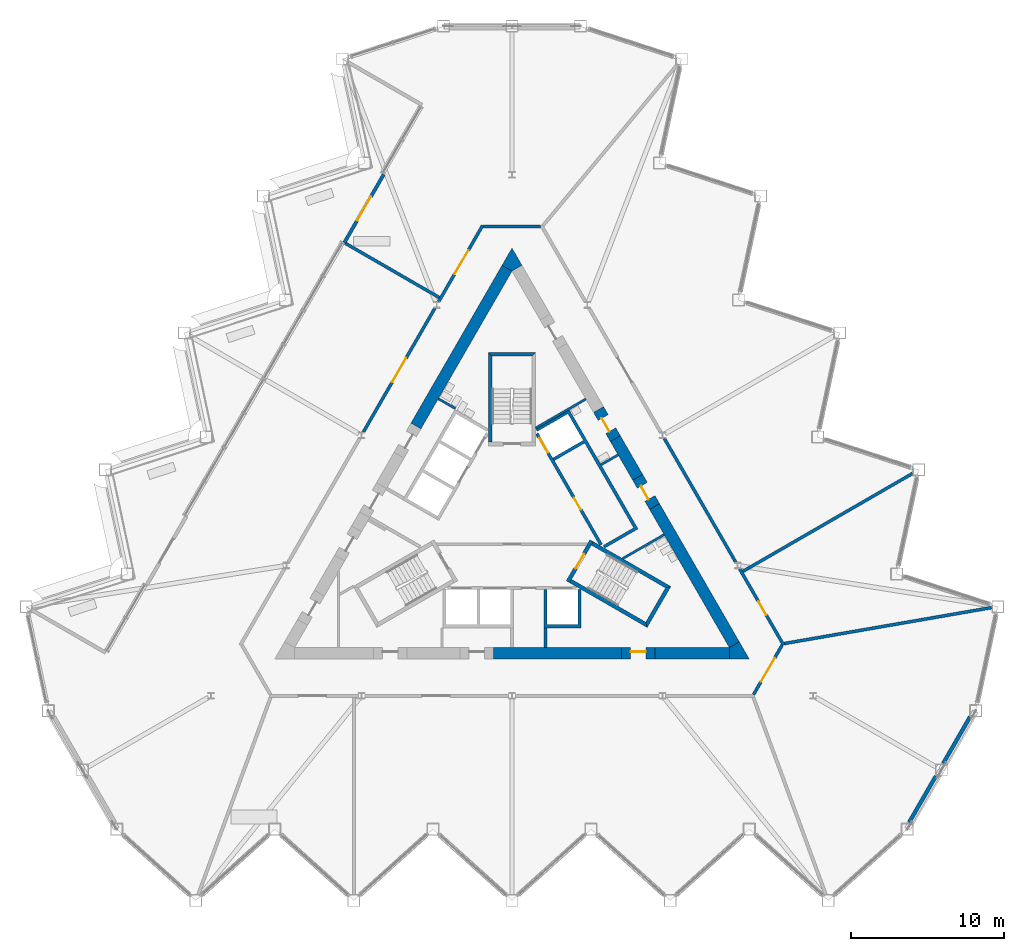
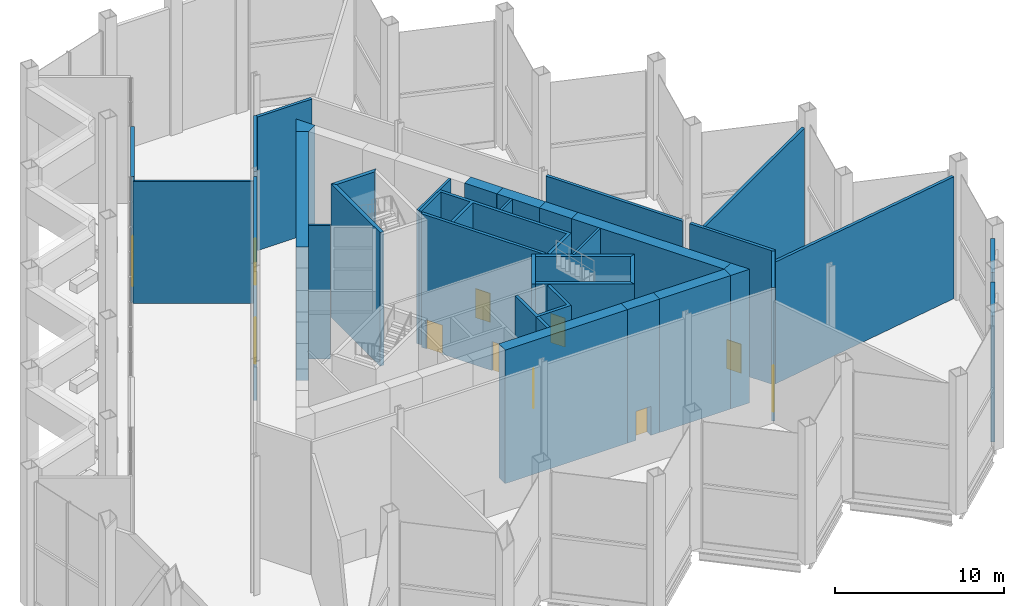
# One storey, part 10 of 18: 36 walls, 11 doors, 11 openings.
"""IFC4 building model written with IfcOpenShell, lengths in metres."""

from ifc_helpers import new_model, si_unit, direction, frame, frame_2d, origin, place, context, subcontext, project, spatial, polyline, rectangle, outline, extrude, material, layer, layer_set, type_object, element, fill, save


model = new_model("IFC4")

# Units and contexts
model_context = context("Model", 3, precision=1e-05, world=origin(), true_north=direction((0.0, 1.0)))
body_context = subcontext(model_context, "Body", "Model", "MODEL_VIEW")
ifc_project = project(units=[si_unit("LENGTHUNIT", "METRE"), si_unit("AREAUNIT", "SQUARE_METRE"), si_unit("VOLUMEUNIT", "CUBIC_METRE"), si_unit("PLANEANGLEUNIT", "RADIAN"), si_unit("MASSUNIT", "GRAM", prefix="KILO")], contexts=[model_context])

# Site, building, storey
site_placement = place(None, origin())
site = spatial("IfcSite", under=ifc_project, at=site_placement, CompositionType="ELEMENT")
building_placement = place(site_placement, origin())
building = spatial("IfcBuilding", under=site, at=building_placement, Name="Cormorant Prow Tower", CompositionType="ELEMENT")
storey_placement = place(building_placement, frame((0.0, 0.0, 216.0)))
storey = spatial("IfcBuildingStorey", under=building, at=storey_placement, Name="L48", CompositionType="ELEMENT", Elevation=216.0)

# Walls
ifc_material_1 = material(Name="Gypsum board partition")
ifc_layer_1 = layer(ifc_material_1, 0.14990234375)
ifc_layer_set_1 = layer_set([ifc_layer_1], Name="Gypsum board partition")
wall_type_1 = type_object("IfcWallType", Name="Core partition 150", PredefinedType="PARTITIONING", material=ifc_layer_set_1)
wall_1_placement = place(storey_placement, frame((-3.693359375, 7.4150390625, 0.0), z_axis=(0.0, 0.0, 1.0), x_axis=(-0.866003189247, 0.500038474733, 0.0)))
element("IfcWall", 1, at=wall_1_placement, inside=storey, type_object=wall_type_1, Name="Service room partition", PredefinedType="PARTITIONING", context=body_context, shape_type="SweptSolid", body=[
    extrude(rectangle(XDim=1.29296875, YDim=0.14990234375, at=frame_2d((0.646484375, 0.0))), origin(), (0.0, 0.0, 1.0), 9.64990234375),
])
wall_2_placement = place(storey_placement, frame((9.940673828125, -0.81982421875, 0.0), z_axis=(0.0, 0.0, 1.0), x_axis=(-0.866018897435, -0.500011269158, 0.0)))
element("IfcWall", 2, at=wall_2_placement, inside=storey, type_object=wall_type_1, Name="Service room partition", PredefinedType="PARTITIONING", context=body_context, shape_type="SweptSolid", body=[
    extrude(rectangle(XDim=3.146484375, YDim=0.14990234375, at=frame_2d((1.5732421875, 0.0))), origin(), (0.0, 0.0, 1.0), 9.64990234375),
])
wall_3_placement = place(storey_placement, frame((6.93212890625, 4.390869140625, 0.0), z_axis=(0.0, 0.0, 1.0), x_axis=(-0.866003189247, -0.500038474733, 0.0)))
element("IfcWall", 3, at=wall_3_placement, inside=storey, type_object=wall_type_1, Name="Service room partition", PredefinedType="PARTITIONING", context=body_context, shape_type="SweptSolid", body=[
    extrude(rectangle(XDim=1.29296875, YDim=0.14990234375, at=frame_2d((0.646484375, 0.0))), origin(), (0.0, 0.0, 1.0), 9.64990234375),
])
wall_4_placement = place(storey_placement, frame((4.826416015625, 8.03857421875, 0.0), z_axis=(0.0, 0.0, 1.0), x_axis=(-0.86601654697, -0.500015340139, 0.0)))
element("IfcWall", 4, at=wall_4_placement, inside=storey, type_object=wall_type_1, Name="Service room partition", PredefinedType="PARTITIONING", context=body_context, shape_type="SweptSolid", body=[
    extrude(rectangle(XDim=3.80029296875, YDim=0.14990234375, at=frame_2d((1.900146484375, 0.0))), origin(), (0.0, 0.0, 1.0), 9.64990234375),
])
ifc_material_2 = material(Name="Concrete 8000 psi", Category="concrete")
ifc_layer_2 = layer(ifc_material_2, 0.75)
ifc_layer_set_2 = layer_set([ifc_layer_2], Name="Concrete 8000 psi")
wall_type_2 = type_object("IfcWallType", Name="Core shear wall 750", PredefinedType="SHEAR", material=ifc_layer_set_2)
wall_5_placement = place(storey_placement, frame((-1.199951171875, -8.573974609375, 0.0), z_axis=(0.0, 0.0, 1.0), x_axis=(1.0, 0.0, 0.0)))
element("IfcWall", 5, at=wall_5_placement, inside=storey, type_object=wall_type_2, Name="Core wall", PredefinedType="SHEAR", context=body_context, shape_type="SweptSolid", body=[
    extrude(rectangle(XDim=8.350341796875, YDim=0.75, at=frame_2d((4.17529296875, 0.0))), origin(), (0.0, 0.0, 1.0), 9.64990234375),
])
wall_6_placement = place(storey_placement, frame((9.3505859375, -8.573974609375, 0.0), z_axis=(0.0, 0.0, 1.0), x_axis=(1.0, 0.0, 0.0)))
element("IfcWall", 6, at=wall_6_placement, inside=storey, type_object=wall_type_2, Name="Core wall", PredefinedType="SHEAR", context=body_context, shape_type="SweptSolid", body=[
    extrude(rectangle(XDim=4.850341796875, YDim=0.75, at=frame_2d((2.42529296875, 0.0))), origin(), (0.0, 0.0, 1.0), 9.64990234375),
])
wall_7_placement = place(storey_placement, frame((14.525634765625, -8.011474609375, 0.0), z_axis=(0.0, 0.0, 1.0), x_axis=(-0.499981157383, 0.866036282301, 0.0)))
element("IfcWall", 7, at=wall_7_placement, inside=storey, type_object=wall_type_2, Name="Core wall", PredefinedType="SHEAR", context=body_context, shape_type="SweptSolid", body=[
    extrude(rectangle(XDim=10.42919921875, YDim=0.75, at=frame_2d((5.214599609375, 0.0))), origin(), (0.0, 0.0, 1.0), 9.64990234375),
])
wall_8_placement = place(storey_placement, frame((8.211181640625, 2.92578125, 0.0), z_axis=(0.0, 0.0, 1.0), x_axis=(-0.500022172694, 0.866012601995, 0.0)))
element("IfcWall", 8, at=wall_8_placement, inside=storey, type_object=wall_type_2, Name="Core wall", PredefinedType="SHEAR", context=body_context, shape_type="SweptSolid", body=[
    extrude(rectangle(XDim=2.914306640625, YDim=0.75, at=frame_2d((1.45703125, 0.0))), origin(), (0.0, 0.0, 1.0), 9.64990234375),
])
wall_9_placement = place(storey_placement, frame((-0.32470703125, 16.58544921875, 0.0), z_axis=(0.0, 0.0, 1.0), x_axis=(-0.500008939514, -0.866020242492, 0.0)))
element("IfcWall", 9, at=wall_9_placement, inside=storey, type_object=wall_type_2, Name="Core wall", PredefinedType="SHEAR", context=body_context, shape_type="SweptSolid", body=[
    extrude(rectangle(XDim=11.901123046875, YDim=0.75, at=frame_2d((5.95068359375, 0.0))), origin(), (0.0, 0.0, 1.0), 9.64990234375),
])
wall_10_placement = place(storey_placement, origin())
element("IfcWall", 10, at=wall_10_placement, inside=storey, type_object=wall_type_2, Name="Core wall corner", PredefinedType="SHEAR", context=body_context, shape_type="SweptSolid", body=[
    extrude(outline(polyline([(-0.6494140625, 16.77294921875), (0.0, 17.89794921875), (0.6494140625, 16.77294921875), (0.0, 16.39794921875), (-0.6494140625, 16.77294921875)])), origin(), (0.0, 0.0, 1.0), 9.64990234375),
])
wall_11_placement = place(storey_placement, origin())
element("IfcWall", 11, at=wall_11_placement, inside=storey, type_object=wall_type_2, Name="Core wall corner", PredefinedType="SHEAR", context=body_context, shape_type="SweptSolid", body=[
    extrude(outline(polyline([(14.200927734375, -8.948974609375), (14.200927734375, -8.198974609375), (14.8505859375, -7.823974609375), (15.5, -8.948974609375), (14.200927734375, -8.948974609375)])), origin(), (0.0, 0.0, 1.0), 9.64990234375),
])

# Wall, opening, door
wall_12_placement = place(storey_placement, frame((7.150390625, -8.573974609375, 0.0), z_axis=(0.0, 0.0, 1.0), x_axis=(1.0, 0.0, 0.0)))
wall_12 = element("IfcWall", 12, at=wall_12_placement, inside=storey, type_object=wall_type_2, Name="Core wall door panel", PredefinedType="SHEAR", context=body_context, shape_type="SweptSolid", body=[
    extrude(rectangle(XDim=2.2001953125, YDim=0.75, at=frame_2d((1.10009765625, 0.0))), origin(), (0.0, 0.0, 1.0), 9.64990234375),
])
opening_1_placement = place(wall_12_placement, frame((0.60009765625, 0.0, 0.0)))
opening_1 = element("IfcOpeningElement", 13, at=opening_1_placement, cuts=wall_12, Name="Opening L48-C15", PredefinedType="OPENING", context=body_context, shape_type="SweptSolid", body=[
    extrude(rectangle(XDim=1.0, YDim=2.10009765625, at=frame_2d((0.5, 1.050048828125))), frame((0.0, 0.385009765625, 0.0), z_axis=(0.0, -1.0, 0.0), x_axis=(1.0, 0.0, 0.0)), (0.0, 0.0, 1.0), 0.77001953125),
])
ifc_material_3 = material(Name="Painted steel", Category="steel")
door_type_1 = type_object("IfcDoorType", Name="Service door 1000x2100", OperationType="NOTDEFINED", PredefinedType="DOOR", material=ifc_material_3)
door_1_placement = place(opening_1_placement, origin())
door_1 = element("IfcDoor", 14, at=door_1_placement, inside=storey, type_object=door_type_1, Name="Core door, Toilets (men) L48", OperationType="SINGLE_SWING_LEFT", OverallHeight=2.10009765625, OverallWidth=1.0, PredefinedType="DOOR", context=body_context, shape_type="SweptSolid", body=[
    extrude(rectangle(XDim=1.0, YDim=2.10009765625, at=frame_2d((0.5, 1.050048828125))), frame((0.0, 0.1298828125, 0.0), z_axis=(0.0, -1.0, 0.0), x_axis=(1.0, 0.0, 0.0)), (0.0, 0.0, 1.0), 0.050048828125),
])
fill(opening_1, door_1)

wall_13_placement = place(storey_placement, frame((9.311279296875, 1.0205078125, 0.0), z_axis=(0.0, 0.0, 1.0), x_axis=(-0.50002983664, 0.866008176907, 0.0)))
wall_13 = element("IfcWall", 15, at=wall_13_placement, inside=storey, type_object=wall_type_2, Name="Core wall door panel", PredefinedType="SHEAR", context=body_context, shape_type="SweptSolid", body=[
    extrude(rectangle(XDim=2.199951171875, YDim=0.75, at=frame_2d((1.10009765625, 0.0))), origin(), (0.0, 0.0, 1.0), 9.64990234375),
])
opening_2_placement = place(wall_13_placement, frame((0.60009765625, 0.0, 0.0)))
opening_2 = element("IfcOpeningElement", 16, at=opening_2_placement, cuts=wall_13, Name="Opening L48-C17", PredefinedType="OPENING", context=body_context, shape_type="SweptSolid", body=[
    extrude(rectangle(XDim=1.0, YDim=2.10009765625, at=frame_2d((0.5, 1.050048828125))), frame((0.0, 0.385009765625, 0.0), z_axis=(0.0, -1.0, 0.0), x_axis=(1.0, 0.0, 0.0)), (0.0, 0.0, 1.0), 0.77001953125),
])
door_2_placement = place(opening_2_placement, origin())
door_2 = element("IfcDoor", 17, at=door_2_placement, inside=storey, type_object=door_type_1, Name="Core door, Telecom room", OperationType="SINGLE_SWING_LEFT", OverallHeight=2.10009765625, OverallWidth=1.0, PredefinedType="DOOR", context=body_context, shape_type="SweptSolid", body=[
    extrude(rectangle(XDim=1.0, YDim=2.10009765625, at=frame_2d((0.5, 1.050048828125))), frame((0.0, 0.1298828125, 0.0), z_axis=(0.0, -1.0, 0.0), x_axis=(1.0, 0.0, 0.0)), (0.0, 0.0, 1.0), 0.050048828125),
])
fill(opening_2, door_2)

wall_14_placement = place(storey_placement, frame((6.75390625, 5.44970703125, 0.0), z_axis=(0.0, 0.0, 1.0), x_axis=(-0.499994660107, 0.866028486751, 0.0)))
wall_14 = element("IfcWall", 18, at=wall_14_placement, inside=storey, type_object=wall_type_2, Name="Core wall door panel", PredefinedType="SHEAR", context=body_context, shape_type="SweptSolid", body=[
    extrude(rectangle(XDim=2.19970703125, YDim=0.75, at=frame_2d((1.099853515625, 0.0))), origin(), (0.0, 0.0, 1.0), 9.64990234375),
])
opening_3_placement = place(wall_14_placement, frame((0.60009765625, 0.0, 0.0)))
opening_3 = element("IfcOpeningElement", 19, at=opening_3_placement, cuts=wall_14, Name="Opening L48-C19", PredefinedType="OPENING", context=body_context, shape_type="SweptSolid", body=[
    extrude(rectangle(XDim=1.0, YDim=2.10009765625, at=frame_2d((0.5, 1.050048828125))), frame((0.0, 0.385009765625, 0.0), z_axis=(0.0, -1.0, 0.0), x_axis=(1.0, 0.0, 0.0)), (0.0, 0.0, 1.0), 0.77001953125),
])
door_3_placement = place(opening_3_placement, origin())
door_3 = element("IfcDoor", 20, at=door_3_placement, inside=storey, type_object=door_type_1, Name="Core door, Accessible WC L48", OperationType="SINGLE_SWING_RIGHT", OverallHeight=2.10009765625, OverallWidth=1.0, PredefinedType="DOOR", context=body_context, shape_type="SweptSolid", body=[
    extrude(rectangle(XDim=1.0, YDim=2.10009765625, at=frame_2d((0.5, 1.050048828125))), frame((0.0, 0.1298828125, 0.0), z_axis=(0.0, -1.0, 0.0), x_axis=(1.0, 0.0, 0.0)), (0.0, 0.0, 1.0), 0.050048828125),
])
fill(opening_3, door_3)

ifc_material_4 = material(Name="Gypsum board corridor wall")
ifc_layer_3 = layer(ifc_material_4, 0.199951171875)
ifc_layer_set_3 = layer_set([ifc_layer_3], Name="Gypsum board corridor wall")
wall_type_3 = type_object("IfcWallType", Name="Corridor wall 200", PredefinedType="PARTITIONING", material=ifc_layer_set_3)
wall_15_placement = place(storey_placement, frame((-9.705078125, 5.88818359375, 0.0), z_axis=(0.0, 0.0, 1.0), x_axis=(0.50000393355, 0.866023132736, 0.0)))
wall_15 = element("IfcWall", 21, at=wall_15_placement, inside=storey, type_object=wall_type_3, Name="Corridor wall", PredefinedType="PARTITIONING", context=body_context, shape_type="SweptSolid", body=[
    extrude(rectangle(XDim=9.3349609375, YDim=0.199951171875, at=frame_2d((4.66748046875, 0.0))), origin(), (0.0, 0.0, 1.0), 9.64990234375),
])
opening_4_placement = place(wall_15_placement, frame((3.767578125, 0.0, 0.0)))
opening_4 = element("IfcOpeningElement", 22, at=opening_4_placement, cuts=wall_15, Name="Opening L48-F07", PredefinedType="OPENING", context=body_context, shape_type="SweptSolid", body=[
    extrude(rectangle(XDim=1.800048828125, YDim=2.10009765625, at=frame_2d((0.89990234375, 1.050048828125))), frame((0.0, 0.10986328125, 0.0), z_axis=(0.0, -1.0, 0.0), x_axis=(1.0, 0.0, 0.0)), (0.0, 0.0, 1.0), 0.219970703125),
])
ifc_material_5 = material(Name="Timber door leaf", Category="wood")
door_type_2 = type_object("IfcDoorType", Name="Double door 1800x2100", OperationType="DOUBLE_DOOR_SINGLE_SWING", PredefinedType="DOOR", material=ifc_material_5)
door_4_placement = place(opening_4_placement, origin())
door_4 = element("IfcDoor", 23, at=door_4_placement, inside=storey, type_object=door_type_2, Name="Business services centre door", OperationType="DOUBLE_DOOR_SINGLE_SWING", OverallHeight=2.10009765625, OverallWidth=1.800048828125, PredefinedType="DOOR", context=body_context, shape_type="SweptSolid", body=[
    extrude(rectangle(XDim=1.800048828125, YDim=2.10009765625, at=frame_2d((0.89990234375, 1.050048828125))), frame((0.0, 0.02490234375, 0.0), z_axis=(0.0, -1.0, 0.0), x_axis=(1.0, 0.0, 0.0)), (0.0, 0.0, 1.0), 0.050048828125),
])
fill(opening_4, door_4)

# Wall
wall_16_placement = place(storey_placement, frame((9.951904296875, 5.460693359375, 0.0), z_axis=(0.0, 0.0, 1.0), x_axis=(0.50000393355, -0.866023132736, 0.0)))
element("IfcWall", 24, at=wall_16_placement, inside=storey, type_object=wall_type_3, Name="Corridor wall", PredefinedType="PARTITIONING", context=body_context, shape_type="SweptSolid", body=[
    extrude(rectangle(XDim=9.3349609375, YDim=0.199951171875, at=frame_2d((4.66748046875, 0.0))), origin(), (0.0, 0.0, 1.0), 9.64990234375),
])

# Wall, opening, door
wall_17_placement = place(storey_placement, frame((14.8662109375, -3.05078125, 0.0), z_axis=(0.0, 0.0, 1.0), x_axis=(0.499975807604, -0.86603937082, 0.0)))
wall_17 = element("IfcWall", 25, at=wall_17_placement, inside=storey, type_object=wall_type_3, Name="Corridor wall", PredefinedType="PARTITIONING", context=body_context, shape_type="SweptSolid", body=[
    extrude(rectangle(XDim=5.755615234375, YDim=0.199951171875, at=frame_2d((2.8779296875, 0.0))), origin(), (0.0, 0.0, 1.0), 9.64990234375),
])
opening_5_placement = place(wall_17_placement, frame((2.479248046875, 0.0, 0.0)))
opening_5 = element("IfcOpeningElement", 26, at=opening_5_placement, cuts=wall_17, Name="Opening L48-F04", PredefinedType="OPENING", context=body_context, shape_type="SweptSolid", body=[
    extrude(rectangle(XDim=1.0, YDim=2.10009765625, at=frame_2d((0.5, 1.050048828125))), frame((0.0, 0.10986328125, 0.0), z_axis=(0.0, -1.0, 0.0), x_axis=(1.0, 0.0, 0.0)), (0.0, 0.0, 1.0), 0.219970703125),
])
ifc_material_6 = material(Name="Timber door leaf", Category="wood")
door_type_3 = type_object("IfcDoorType", Name="Flat or room entrance door 1000x2100", OperationType="NOTDEFINED", PredefinedType="DOOR", material=ifc_material_6)
door_5_placement = place(opening_5_placement, origin())
door_5 = element("IfcDoor", 27, at=door_5_placement, inside=storey, type_object=door_type_3, Name="Refuge area door", OperationType="SINGLE_SWING_RIGHT", OverallHeight=2.10009765625, OverallWidth=1.0, PredefinedType="DOOR", context=body_context, shape_type="SweptSolid", body=[
    extrude(rectangle(XDim=1.0, YDim=2.10009765625, at=frame_2d((0.5, 1.050048828125))), frame((0.0, 0.02490234375, 0.0), z_axis=(0.0, -1.0, 0.0), x_axis=(1.0, 0.0, 0.0)), (0.0, 0.0, 1.0), 0.050048828125),
])
fill(opening_5, door_5)

wall_18_placement = place(storey_placement, frame((-4.791015625, 14.39990234375, 0.0), z_axis=(0.0, 0.0, 1.0), x_axis=(0.50000762079, 0.866021003874, 0.0)))
wall_18 = element("IfcWall", 28, at=wall_18_placement, inside=storey, type_object=wall_type_3, Name="Corridor wall", PredefinedType="PARTITIONING", context=body_context, shape_type="SweptSolid", body=[
    extrude(rectangle(XDim=5.755859375, YDim=0.199951171875, at=frame_2d((2.8779296875, 0.0))), origin(), (0.0, 0.0, 1.0), 9.64990234375),
])
opening_6_placement = place(wall_18_placement, frame((2.07958984375, 0.0, 0.0)))
opening_6 = element("IfcOpeningElement", 29, at=opening_6_placement, cuts=wall_18, Name="Opening L48-F06", PredefinedType="OPENING", context=body_context, shape_type="SweptSolid", body=[
    extrude(rectangle(XDim=1.800048828125, YDim=2.10009765625, at=frame_2d((0.89990234375, 1.050048828125))), frame((0.0, 0.10986328125, 0.0), z_axis=(0.0, -1.0, 0.0), x_axis=(1.0, 0.0, 0.0)), (0.0, 0.0, 1.0), 0.219970703125),
])
door_6_placement = place(opening_6_placement, origin())
door_6 = element("IfcDoor", 30, at=door_6_placement, inside=storey, type_object=door_type_2, Name="Kitchen door", OperationType="DOUBLE_DOOR_SINGLE_SWING", OverallHeight=2.10009765625, OverallWidth=1.800048828125, PredefinedType="DOOR", context=body_context, shape_type="SweptSolid", body=[
    extrude(rectangle(XDim=1.800048828125, YDim=2.10009765625, at=frame_2d((0.89990234375, 1.050048828125))), frame((0.0, 0.02490234375, 0.0), z_axis=(0.0, -1.0, 0.0), x_axis=(1.0, 0.0, 0.0)), (0.0, 0.0, 1.0), 0.050048828125),
])
fill(opening_6, door_6)

# Wall
wall_19_placement = place(storey_placement, frame((-1.863037109375, 19.2978515625, 0.0), z_axis=(0.0, 0.0, 1.0), x_axis=(1.0, 0.0, 0.0)))
element("IfcWall", 31, at=wall_19_placement, inside=storey, type_object=wall_type_3, Name="Corridor wall", PredefinedType="PARTITIONING", context=body_context, shape_type="SweptSolid", body=[
    extrude(rectangle(XDim=3.72607421875, YDim=0.199951171875, at=frame_2d((1.863037109375, 0.0))), origin(), (0.0, 0.0, 1.0), 9.64990234375),
])

# Wall, opening, door
wall_20_placement = place(storey_placement, frame((15.781005859375, -11.26220703125, 0.0), z_axis=(0.0, 0.0, 1.0), x_axis=(0.499958791762, 0.866049194065, 0.0)))
wall_20 = element("IfcWall", 32, at=wall_20_placement, inside=storey, type_object=wall_type_3, Name="Corridor wall", PredefinedType="PARTITIONING", context=body_context, shape_type="SweptSolid", body=[
    extrude(rectangle(XDim=3.725830078125, YDim=0.199951171875, at=frame_2d((1.86279296875, 0.0))), origin(), (0.0, 0.0, 1.0), 9.64990234375),
])
opening_7_placement = place(wall_20_placement, frame((0.962890625, 0.0, 0.0)))
opening_7 = element("IfcOpeningElement", 33, at=opening_7_placement, cuts=wall_20, Name="Opening L48-F03", PredefinedType="OPENING", context=body_context, shape_type="SweptSolid", body=[
    extrude(rectangle(XDim=1.800048828125, YDim=2.10009765625, at=frame_2d((0.89990234375, 1.050048828125))), frame((0.0, 0.10986328125, 0.0), z_axis=(0.0, -1.0, 0.0), x_axis=(1.0, 0.0, 0.0)), (0.0, 0.0, 1.0), 0.219970703125),
])
door_7_placement = place(opening_7_placement, origin())
door_7 = element("IfcDoor", 34, at=door_7_placement, inside=storey, type_object=door_type_2, Name="Hotel restaurant door", OperationType="DOUBLE_DOOR_SINGLE_SWING", OverallHeight=2.10009765625, OverallWidth=1.800048828125, PredefinedType="DOOR", context=body_context, shape_type="SweptSolid", body=[
    extrude(rectangle(XDim=1.800048828125, YDim=2.10009765625, at=frame_2d((0.89990234375, 1.050048828125))), frame((0.0, 0.02490234375, 0.0), z_axis=(0.0, -1.0, 0.0), x_axis=(1.0, 0.0, 0.0)), (0.0, 0.0, 1.0), 0.050048828125),
])
fill(opening_7, door_7)

# Walls
ifc_material_7 = material(Name="Gypsum board demising wall")
ifc_layer_4 = layer(ifc_material_7, 0.199951171875)
ifc_layer_set_4 = layer_set([ifc_layer_4], Name="Gypsum board demising wall")
wall_type_4 = type_object("IfcWallType", Name="Demising wall 200", PredefinedType="PARTITIONING", material=ifc_layer_set_4)
wall_21_placement = place(storey_placement, frame((17.79248046875, -7.931884765625, 0.0), z_axis=(0.0, 0.0, 1.0), x_axis=(0.985288995773, 0.170896444691, 0.0)))
element("IfcWall", 35, at=wall_21_placement, inside=storey, type_object=wall_type_4, Name="Demising wall", PredefinedType="PARTITIONING", context=body_context, shape_type="SweptSolid", body=[
    extrude(rectangle(XDim=13.73876953125, YDim=0.199951171875, at=frame_2d((6.869384765625, 0.0))), origin(), (0.0, 0.0, 1.0), 8.80419921875),
])
wall_22_placement = place(storey_placement, frame((15.079833984375, -3.22119140625, 0.0), z_axis=(0.0, 0.0, 1.0), x_axis=(0.866024222022, 0.500002046867, 0.0)))
element("IfcWall", 36, at=wall_22_placement, inside=storey, type_object=wall_type_4, Name="Demising wall", PredefinedType="PARTITIONING", context=body_context, shape_type="SweptSolid", body=[
    extrude(rectangle(XDim=12.79931640625, YDim=0.199951171875, at=frame_2d((6.399658203125, 0.0))), origin(), (0.0, 0.0, 1.0), 8.80419921875),
])
wall_23_placement = place(storey_placement, frame((-10.927490234375, 18.236328125, 0.0), z_axis=(0.0, 0.0, 1.0), x_axis=(0.866027130588, -0.499997009076, 0.0)))
element("IfcWall", 37, at=wall_23_placement, inside=storey, type_object=wall_type_4, Name="Demising wall", PredefinedType="PARTITIONING", context=body_context, shape_type="SweptSolid", body=[
    extrude(rectangle(XDim=7.1328125, YDim=0.199951171875, at=frame_2d((3.56640625, 0.0))), origin(), (0.0, 0.0, 1.0), 8.80419921875),
])

# Wall, openings, doors
ifc_material_8 = material(Name="Concrete 5000 psi", Category="concrete")
ifc_layer_5 = layer(ifc_material_8, 0.199951171875)
ifc_layer_set_5 = layer_set([ifc_layer_5], Name="Concrete 5000 psi")
wall_type_5 = type_object("IfcWallType", Name="Lift lobby wall 200", PredefinedType="SOLIDWALL", material=ifc_layer_set_5)
wall_24_placement = place(storey_placement, frame((5.817138671875, -1.4755859375, 0.0), z_axis=(0.0, 0.0, 1.0), x_axis=(-0.500002616675, 0.866023893041, 0.0)))
wall_24 = element("IfcWall", 38, at=wall_24_placement, inside=storey, type_object=wall_type_5, Name="Lift lobby wall, ENE block", PredefinedType="SOLIDWALL", context=body_context, shape_type="SweptSolid", body=[
    extrude(rectangle(XDim=8.373046875, YDim=0.199951171875, at=frame_2d((4.1865234375, 0.0))), origin(), (0.0, 0.0, 1.0), 9.64990234375),
])
opening_8_placement = place(wall_24_placement, frame((2.63671875, 0.0, 0.0)))
opening_8 = element("IfcOpeningElement", 39, at=opening_8_placement, cuts=wall_24, Name="Opening L48-C05", PredefinedType="OPENING", context=body_context, shape_type="SweptSolid", body=[
    extrude(rectangle(XDim=0.89990234375, YDim=2.10009765625, at=frame_2d((0.449951171875, 1.050048828125))), frame((0.0, 0.10986328125, 0.0), z_axis=(0.0, -1.0, 0.0), x_axis=(1.0, 0.0, 0.0)), (0.0, 0.0, 1.0), 0.219970703125),
])
opening_9_placement = place(wall_24_placement, frame((6.9365234375, 0.0, 0.0)))
opening_9 = element("IfcOpeningElement", 40, at=opening_9_placement, cuts=wall_24, Name="Opening L48-C06", PredefinedType="OPENING", context=body_context, shape_type="SweptSolid", body=[
    extrude(rectangle(XDim=1.10009765625, YDim=2.10009765625, at=frame_2d((0.550048828125, 1.050048828125))), frame((0.0, 0.10986328125, 0.0), z_axis=(0.0, -1.0, 0.0), x_axis=(1.0, 0.0, 0.0)), (0.0, 0.0, 1.0), 0.219970703125),
])
ifc_material_9 = material(Name="Painted steel", Category="steel")
door_type_4 = type_object("IfcDoorType", Name="Lift landing door 1100x2100", OperationType="SLIDING_TO_LEFT", PredefinedType="DOOR", material=ifc_material_9)
door_8_placement = place(opening_9_placement, origin())
door_8 = element("IfcDoor", 41, at=door_8_placement, inside=storey, type_object=door_type_4, Name="Landing door MR1", OperationType="SLIDING_TO_LEFT", OverallHeight=2.10009765625, OverallWidth=1.10009765625, PredefinedType="DOOR", context=body_context, shape_type="SweptSolid", body=[
    extrude(rectangle(XDim=1.10009765625, YDim=2.10009765625, at=frame_2d((0.550048828125, 1.050048828125))), frame((0.0, 0.02490234375, 0.0), z_axis=(0.0, -1.0, 0.0), x_axis=(1.0, 0.0, 0.0)), (0.0, 0.0, 1.0), 0.050048828125),
])
fill(opening_9, door_8)
ifc_material_10 = material(Name="Painted steel", Category="steel")
door_type_5 = type_object("IfcDoorType", Name="Service door 900x2100", OperationType="NOTDEFINED", PredefinedType="DOOR", material=ifc_material_10)
door_9_placement = place(opening_8_placement, origin())
door_9 = element("IfcDoor", 42, at=door_9_placement, inside=storey, type_object=door_type_5, Name="Service door, Pantry store", OperationType="SINGLE_SWING_RIGHT", OverallHeight=2.10009765625, OverallWidth=0.89990234375, PredefinedType="DOOR", context=body_context, shape_type="SweptSolid", body=[
    extrude(rectangle(XDim=0.89990234375, YDim=2.10009765625, at=frame_2d((0.449951171875, 1.050048828125))), frame((0.0, 0.02490234375, 0.0), z_axis=(0.0, -1.0, 0.0), x_axis=(1.0, 0.0, 0.0)), (0.0, 0.0, 1.0), 0.050048828125),
])
fill(opening_8, door_9)

# Walls
ifc_material_11 = material(Name="Concrete 8000 psi", Category="concrete")
ifc_layer_6 = layer(ifc_material_11, 0.199951171875)
ifc_layer_set_6 = layer_set([ifc_layer_6], Name="Concrete 8000 psi")
wall_type_6 = type_object("IfcWallType", Name="Lift shaft wall 200", PredefinedType="SHEAR", material=ifc_layer_set_6)
wall_25_placement = place(storey_placement, origin())
element("IfcWall", 43, at=wall_25_placement, inside=storey, type_object=wall_type_6, Name="Lift shaft walls, S block", PredefinedType="SHEAR", context=body_context, shape_type="SweptSolid", body=[
    extrude(outline(polyline([(4.5, -4.39990234375), (4.5, -6.906005859375), (2.10009765625, -6.906005859375), (2.10009765625, -4.39990234375), (2.300048828125, -4.39990234375), (2.300048828125, -6.699951171875), (4.300048828125, -6.699951171875), (4.300048828125, -4.39990234375), (4.5, -4.39990234375)])), origin(), (0.0, 0.0, 1.0), 9.64990234375),
])
wall_26_placement = place(storey_placement, frame((2.199951171875, -6.906005859375, 0.0), z_axis=(0.0, 0.0, 1.0), x_axis=(0.0, -1.0, 0.0)))
element("IfcWall", 44, at=wall_26_placement, inside=storey, type_object=wall_type_6, Name="Store side wall", PredefinedType="SHEAR", context=body_context, shape_type="SweptSolid", body=[
    extrude(rectangle(XDim=1.29296875, YDim=0.199951171875, at=frame_2d((0.646484375, 0.0))), origin(), (0.0, 0.0, 1.0), 9.64990234375),
])
wall_27_placement = place(storey_placement, origin())
element("IfcWall", 45, at=wall_27_placement, inside=storey, type_object=wall_type_6, Name="Lift shaft walls, ENE block", PredefinedType="SHEAR", context=body_context, shape_type="SweptSolid", body=[
    extrude(outline(polyline([(1.560546875, 6.09716796875), (3.730712890625, 7.35009765625), (8.230712890625, -0.444091796875), (6.060546875, -1.697021484375), (5.96044921875, -1.52392578125), (7.952392578125, -0.373779296875), (4.75244140625, 5.168701171875), (2.760498046875, 4.018798828125), (2.660400390625, 4.19189453125), (4.65234375, 5.341796875), (3.65234375, 7.073974609375), (1.660400390625, 5.923828125), (1.560546875, 6.09716796875)])), origin(), (0.0, 0.0, 1.0), 9.64990234375),
])
ifc_material_12 = material(Name="Concrete 8000 psi", Category="concrete")
ifc_layer_7 = layer(ifc_material_12, 0.25)
ifc_layer_set_7 = layer_set([ifc_layer_7], Name="Concrete 8000 psi")
wall_type_7 = type_object("IfcWallType", Name="Stair wall 250", PredefinedType="SHEAR", material=ifc_layer_set_7)
wall_28_placement = place(storey_placement, origin())
element("IfcWall", 46, at=wall_28_placement, inside=storey, type_object=wall_type_7, Name="Stair ST2 enclosure wall (flank)", PredefinedType="SHEAR", context=body_context, shape_type="SweptSolid", body=[
    extrude(outline(polyline([(3.76318359375, -3.95556640625), (8.82958984375, -6.880615234375), (8.738037109375, -6.5390625), (3.88818359375, -3.739013671875), (3.76318359375, -3.95556640625)])), origin(), (0.0, 0.0, 1.0), 9.64990234375),
])
wall_29_placement = place(storey_placement, origin())
element("IfcWall", 47, at=wall_29_placement, inside=storey, type_object=wall_type_7, Name="Stair ST2 enclosure wall (end)", PredefinedType="SHEAR", context=body_context, shape_type="SweptSolid", body=[
    extrude(outline(polyline([(8.82958984375, -6.880615234375), (10.37353515625, -4.206298828125), (10.031982421875, -4.2978515625), (8.738037109375, -6.5390625), (8.82958984375, -6.880615234375)])), origin(), (0.0, 0.0, 1.0), 9.64990234375),
])
wall_30_placement = place(storey_placement, origin())
element("IfcWall", 48, at=wall_30_placement, inside=storey, type_object=wall_type_7, Name="Stair ST2 enclosure wall (flank)", PredefinedType="SHEAR", context=body_context, shape_type="SweptSolid", body=[
    extrude(outline(polyline([(10.031982421875, -4.2978515625), (10.37353515625, -4.206298828125), (5.30712890625, -1.28125), (5.18212890625, -1.497802734375), (10.031982421875, -4.2978515625)])), origin(), (0.0, 0.0, 1.0), 9.64990234375),
])

# Wall, opening, door
wall_31_placement = place(storey_placement, frame((3.655029296875, -3.89306640625, 0.0), z_axis=(0.0, 0.0, 1.0), x_axis=(0.499982516597, 0.866035497597, 0.0)))
wall_31 = element("IfcWall", 49, at=wall_31_placement, inside=storey, type_object=wall_type_7, Name="Stair ST2 door wall", PredefinedType="SHEAR", context=body_context, shape_type="SweptSolid", body=[
    extrude(rectangle(XDim=3.087890625, YDim=0.25, at=frame_2d((1.5439453125, 0.0))), origin(), (0.0, 0.0, 1.0), 9.64990234375),
])
opening_10_placement = place(wall_31_placement, frame((0.993896484375, 0.0, 0.0)))
opening_10 = element("IfcOpeningElement", 50, at=opening_10_placement, cuts=wall_31, Name="Opening L48-C11", PredefinedType="OPENING", context=body_context, shape_type="SweptSolid", body=[
    extrude(rectangle(XDim=1.10009765625, YDim=2.10009765625, at=frame_2d((0.550048828125, 1.050048828125))), frame((0.0, 0.135009765625, 0.0), z_axis=(0.0, -1.0, 0.0), x_axis=(1.0, 0.0, 0.0)), (0.0, 0.0, 1.0), 0.27001953125),
])
ifc_material_13 = material(Name="Painted steel", Category="steel")
door_type_6 = type_object("IfcDoorType", Name="Stair door 1100x2100", OperationType="NOTDEFINED", PredefinedType="DOOR", material=ifc_material_13)
door_10_placement = place(opening_10_placement, origin())
door_10 = element("IfcDoor", 51, at=door_10_placement, inside=storey, type_object=door_type_6, Name="Stair ST2 door", OperationType="SINGLE_SWING_RIGHT", OverallHeight=2.10009765625, OverallWidth=1.10009765625, PredefinedType="DOOR", context=body_context, shape_type="SweptSolid", body=[
    extrude(rectangle(XDim=1.10009765625, YDim=2.10009765625, at=frame_2d((0.550048828125, 1.050048828125))), frame((0.0, 0.02490234375, 0.0), z_axis=(0.0, -1.0, 0.0), x_axis=(1.0, 0.0, 0.0)), (0.0, 0.0, 1.0), 0.050048828125),
])
fill(opening_10, door_10)

# Walls
wall_32_placement = place(storey_placement, origin())
element("IfcWall", 52, at=wall_32_placement, inside=storey, type_object=wall_type_7, Name="Stair ST3 enclosure wall (end)", PredefinedType="SHEAR", context=body_context, shape_type="SweptSolid", body=[
    extrude(outline(polyline([(1.5439453125, 11.0869140625), (-1.5439453125, 11.0869140625), (-1.2939453125, 10.8369140625), (1.2939453125, 10.8369140625), (1.5439453125, 11.0869140625)])), origin(), (0.0, 0.0, 1.0), 9.64990234375),
])
wall_33_placement = place(storey_placement, origin())
element("IfcWall", 53, at=wall_33_placement, inside=storey, type_object=wall_type_7, Name="Stair ST3 enclosure wall (flank)", PredefinedType="SHEAR", context=body_context, shape_type="SweptSolid", body=[
    extrude(outline(polyline([(-1.2939453125, 10.8369140625), (-1.5439453125, 11.0869140625), (-1.5439453125, 5.23681640625), (-1.2939453125, 5.23681640625), (-1.2939453125, 10.8369140625)])), origin(), (0.0, 0.0, 1.0), 9.64990234375),
])
ifc_material_14 = material(Name="Terracotta", Category="masonry")
ifc_layer_8 = layer(ifc_material_14, 0.25)
ifc_layer_set_8 = layer_set([ifc_layer_8], Name="Terracotta")
wall_type_8 = type_object("IfcWallType", Name="Terracotta bay wall 250", PredefinedType="SOLIDWALL", material=ifc_layer_set_8)
wall_34_placement = place(storey_placement, frame((25.93896484375, -19.621337890625, 0.0), z_axis=(0.0, 0.0, 1.0), x_axis=(0.500037421966, 0.866003797124, 0.0)))
element("IfcWall", 54, at=wall_34_placement, inside=storey, type_object=wall_type_8, Name="Terracotta bay wall ESE00", PredefinedType="SOLIDWALL", context=body_context, shape_type="SweptSolid", body=[
    extrude(rectangle(XDim=3.489013671875, YDim=0.25, at=frame_2d((1.74462890625, 0.0))), origin(), (0.0, 0.0, 1.0), 9.100830078125),
])
wall_35_placement = place(storey_placement, frame((28.17431640625, -15.749755859375, 0.0), z_axis=(0.0, 0.0, 1.0), x_axis=(0.499984940993, 0.866034097932, 0.0)))
element("IfcWall", 55, at=wall_35_placement, inside=storey, type_object=wall_type_8, Name="Terracotta bay wall ESE01", PredefinedType="SOLIDWALL", context=body_context, shape_type="SweptSolid", body=[
    extrude(rectangle(XDim=3.48876953125, YDim=0.25, at=frame_2d((1.744384765625, 0.0))), origin(), (0.0, 0.0, 1.0), 9.100830078125),
])

# Wall, opening, door
ifc_material_15 = material(Name="Terracotta", Category="masonry")
ifc_layer_9 = layer(ifc_material_15, 0.219970703125)
ifc_layer_set_9 = layer_set([ifc_layer_9], Name="Terracotta")
wall_type_9 = type_object("IfcWallType", Name="Terracotta loggia wall 220", PredefinedType="SOLIDWALL", material=ifc_layer_set_9)
wall_36_placement = place(storey_placement, frame((-8.37109375, 22.72412109375, 0.0), z_axis=(0.0, 0.0, 1.0), x_axis=(-0.499997981539, -0.86602656914, 0.0)))
wall_36 = element("IfcWall", 56, at=wall_36_placement, inside=storey, type_object=wall_type_9, Name="Terracotta loggia wall WNW02", PredefinedType="SOLIDWALL", context=body_context, shape_type="SweptSolid", body=[
    extrude(rectangle(XDim=5.16455078125, YDim=0.219970703125, at=frame_2d((2.582275390625, 0.0))), origin(), (0.0, 0.0, 1.0), 9.100830078125),
])
opening_11_placement = place(wall_36_placement, frame((1.682373046875, 0.0, 0.0)))
opening_11 = element("IfcOpeningElement", 57, at=opening_11_placement, cuts=wall_36, Name="Opening ED48.01", PredefinedType="OPENING", context=body_context, shape_type="SweptSolid", body=[
    extrude(rectangle(XDim=1.800048828125, YDim=2.39990234375, at=frame_2d((0.89990234375, 1.199951171875))), frame((0.0, 0.119873046875, 0.0), z_axis=(0.0, -1.0, 0.0), x_axis=(1.0, 0.0, 0.0)), (0.0, 0.0, 1.0), 0.239990234375),
])
ifc_material_16 = material(Name="Aluminium 6063-T6", Category="aluminium")
door_type_7 = type_object("IfcDoorType", Name="Terrace door 1800x2400", OperationType="DOUBLE_DOOR_SINGLE_SWING", PredefinedType="DOOR", material=ifc_material_16)
door_11_placement = place(opening_11_placement, origin())
door_11 = element("IfcDoor", 58, at=door_11_placement, inside=storey, type_object=door_type_7, Name="Terrace door WNW02 ED48.01", OperationType="DOUBLE_DOOR_SINGLE_SWING", OverallHeight=2.39990234375, OverallWidth=1.800048828125, PredefinedType="DOOR", context=body_context, shape_type="SweptSolid", body=[
    extrude(rectangle(XDim=1.800048828125, YDim=2.39990234375, at=frame_2d((0.89990234375, 1.199951171875))), frame((0.0, 0.02490234375, 0.0), z_axis=(0.0, -1.0, 0.0), x_axis=(1.0, 0.0, 0.0)), (0.0, 0.0, 1.0), 0.050048828125),
])
fill(opening_11, door_11)

save(model, "model.ifc")
